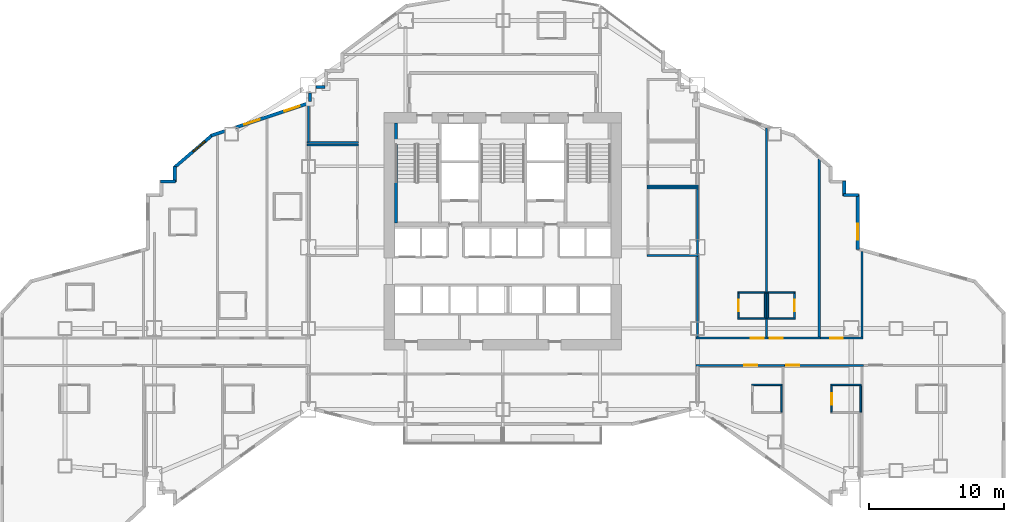
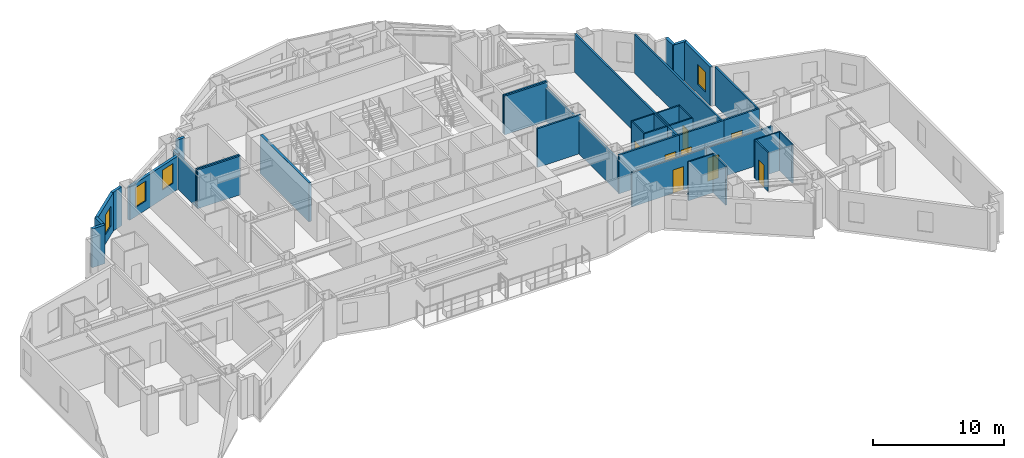
# One storey, part 10 of 16: 40 walls, 8 doors, 4 windows, 12 openings.
"""IFC4 building model written with IfcOpenShell, lengths in metres."""

import ifcopenshell
import ifcopenshell.guid

model = None  # the IFC model being written
_history = None  # IfcOwnerHistory: only IFC2X3 demands one
_inside = {}  # id of a spatial element -> (the spatial element, [elements in it])
_under = {}  # id of a project, library or spatial element -> (it, [spatial elements below it])
_declared = {}  # id of a project -> (the project, [libraries it declares])
_typed = {}  # id of a type object -> (the type object, [elements of that type])
_made_of = {}  # id of a material, layer set ... -> (it, [elements and type objects made of it])


def new_model(schema):
    """Start an empty IFC model of exactly this schema.

    Asked for "IFC4X3", IfcOpenShell would pick the latest addendum, in which some entities
    have other attributes; the version numbers below select the first issue.
    IFC2X3 requires an IfcOwnerHistory on every rooted entity: one is made here for all.
    """
    global model, _history
    if schema == "IFC4X3":
        model = ifcopenshell.file(schema_version=(4, 3, 0, 0))
    else:
        model = ifcopenshell.file(schema=schema)
    _inside.clear()
    _under.clear()
    _declared.clear()
    _typed.clear()
    _made_of.clear()
    _history = None
    if model.schema == "IFC2X3":
        org = make("IfcOrganization", Name="unknown")
        user = make(
            "IfcPersonAndOrganization",
            ThePerson=make("IfcPerson", FamilyName="unknown"),
            TheOrganization=org,
        )
        app = make(
            "IfcApplication",
            ApplicationDeveloper=org,
            Version="unknown",
            ApplicationFullName="unknown",
            ApplicationIdentifier="unknown",
        )
        _history = make(
            "IfcOwnerHistory",
            OwningUser=user,
            OwningApplication=app,
            ChangeAction="ADDED",
            CreationDate=0,
        )
    return model


def make(cls, **values):
    """One entity of the class cls with the attributes given. An attribute that is None is left unset."""
    return model.create_entity(
        cls, **{name: value for name, value in values.items() if value is not None}
    )


def rooted(cls, **values):
    """An entity with a GlobalId (a new one), such as an element, a storey or a relation."""
    return make(cls, GlobalId=ifcopenshell.guid.new(), OwnerHistory=_history, **values)


def si_unit(unit_type, name, prefix=None):
    """IfcSIUnit, for example si_unit("LENGTHUNIT", "METRE", prefix="MILLI")."""
    return make("IfcSIUnit", UnitType=unit_type, Prefix=prefix, Name=name)


def assignment(units):
    """IfcUnitAssignment: the units of a project."""
    return None if units is None else make("IfcUnitAssignment", Units=units)


def point(xyz):
    """IfcCartesianPoint."""
    return None if xyz is None else make("IfcCartesianPoint", Coordinates=xyz)


def direction(xyz):
    """IfcDirection."""
    return None if xyz is None else make("IfcDirection", DirectionRatios=xyz)


def frame(location, z_axis=None, x_axis=None):
    """IfcAxis2Placement3D, a coordinate frame: its origin and axes. An axis left out is left unset."""
    return make(
        "IfcAxis2Placement3D",
        Location=point(location),
        Axis=direction(z_axis),
        RefDirection=direction(x_axis),
    )


def frame_2d(location, x_axis=None):
    """IfcAxis2Placement2D, a coordinate frame in the plane: its origin and x axis."""
    return make(
        "IfcAxis2Placement2D", Location=point(location), RefDirection=direction(x_axis)
    )


def origin():
    """The frame at (0, 0, 0) with its axes left unset."""
    return frame((0.0, 0.0, 0.0))


def place(relative_to, where):
    """IfcLocalPlacement: puts the frame where relative to a parent placement (None: the world)."""
    return make(
        "IfcLocalPlacement", PlacementRelTo=relative_to, RelativePlacement=where
    )


def context(
    kind, dimensions, precision=None, world=None, true_north=None, identifier=None
):
    """IfcGeometricRepresentationContext, for example the 3D "Model" context."""
    return make(
        "IfcGeometricRepresentationContext",
        ContextIdentifier=identifier,
        ContextType=kind,
        CoordinateSpaceDimension=dimensions,
        Precision=precision,
        WorldCoordinateSystem=world,
        TrueNorth=true_north,
    )


def subcontext(parent, identifier, kind, view, scale=None):
    """IfcGeometricRepresentationSubContext, for example "Body" below "Model"."""
    return make(
        "IfcGeometricRepresentationSubContext",
        ContextIdentifier=identifier,
        ContextType=kind,
        ParentContext=parent,
        TargetScale=scale,
        TargetView=view,
    )


def project(units=None, contexts=None):
    """IfcProject with its units and contexts."""
    return rooted(
        "IfcProject",
        Name="project",
        RepresentationContexts=contexts,
        UnitsInContext=assignment(units),
    )


def spatial(cls, under=None, at=None, **own):
    """A site, building, storey or space (cls), placed at a placement, below another one or the project."""
    s = rooted(cls, ObjectPlacement=at, **own)
    if under is not None:
        _under.setdefault(under.id(), (under, []))[1].append(s)
    return s


def profile(cls, at=None, kind="AREA", **sizes):
    """A parametric profile (cls). Its sizes go by their IFC names, for example OverallWidth=200.0."""
    return make(cls, ProfileType=kind, Position=at, **sizes)


def rectangle(**sizes):
    """IfcRectangleProfileDef."""
    return profile("IfcRectangleProfileDef", **sizes)


def extrude(swept, where, along, depth):
    """IfcExtrudedAreaSolid: the profile swept, set in the frame where, extruded along a direction by depth."""
    return make(
        "IfcExtrudedAreaSolid",
        SweptArea=swept,
        Position=where,
        ExtrudedDirection=direction(along),
        Depth=depth,
    )


def shape(context_of_items, identifier, shape_type, items):
    """IfcShapeRepresentation: the items that make up one representation, for example the "Body"."""
    return make(
        "IfcShapeRepresentation",
        ContextOfItems=context_of_items,
        RepresentationIdentifier=identifier,
        RepresentationType=shape_type,
        Items=items,
    )


def material(Name=None, Category=None):
    """IfcMaterial."""
    return make("IfcMaterial", Name=Name, Category=Category)


def layer(
    of_material, thickness, ventilated=None, Name=None, Category=None, Priority=None
):
    """IfcMaterialLayer: one layer of a wall or slab, of a material (None: an air gap)."""
    return make(
        "IfcMaterialLayer",
        Material=of_material,
        LayerThickness=thickness,
        IsVentilated=ventilated,
        Name=Name,
        Category=Category,
        Priority=Priority,
    )


def layer_set(layers, Name=None):
    """IfcMaterialLayerSet."""
    return make("IfcMaterialLayerSet", MaterialLayers=layers, LayerSetName=Name)


def made_of(thing, what):
    """Note that an element or type object is made of a material, layer set ...; save() writes the relation."""
    if what is not None:
        _made_of.setdefault(what.id(), (what, []))[1].append(thing)
    return thing


def type_object(cls, material=None, **own):
    """A type object (cls), such as IfcWallType, which elements share."""
    return made_of(rooted(cls, **own), material)


def element(
    cls,
    number,
    at=None,
    inside=None,
    cuts=None,
    type_object=None,
    material=None,
    context=None,
    identifier="Body",
    shape_type=None,
    held_by="IfcProductDefinitionShape",
    body=None,
    shapes=None,
    **own,
):
    """One element of the class cls, such as IfcWall. Its Tag is "e" and its number.

    at: its placement. inside: the storey or other place that contains it. cuts: it is an
    opening in that element (IfcRelVoidsElement). A single representation is given by context,
    identifier, shape_type and body (its items); several are given by shapes. held_by: the class
    of the entity that holds the representations. save() writes the other relations.
    """
    e = rooted(cls, Tag="e%d" % number, ObjectPlacement=at, **own)
    if body is not None:
        shapes = [shape(context, identifier, shape_type, body)]
    if shapes is not None:
        e.Representation = make(held_by, Representations=shapes)
    if inside is not None:
        _inside.setdefault(inside.id(), (inside, []))[1].append(e)
    if cuts is not None:
        rooted(
            "IfcRelVoidsElement", RelatingBuildingElement=cuts, RelatedOpeningElement=e
        )
    if type_object is not None:
        _typed.setdefault(type_object.id(), (type_object, []))[1].append(e)
    return made_of(e, material)


def fill(opening, filler):
    """IfcRelFillsElement: the door or window that sits in an opening."""
    return rooted(
        "IfcRelFillsElement",
        RelatingOpeningElement=opening,
        RelatedBuildingElement=filler,
    )


def aggregate(whole, parts):
    """IfcRelAggregates: a whole, such as a stair, and the parts it consists of."""
    return rooted("IfcRelAggregates", RelatingObject=whole, RelatedObjects=parts)


def save(model, path):
    """Write the relations noted so far, then the file.

    IfcRelAggregates (storeys below a building ...), IfcRelContainedInSpatialStructure (elements
    in a storey), IfcRelDefinesByType, IfcRelAssociatesMaterial and IfcRelDeclares: one each for
    every whole, place, type object, material and project.
    """
    for whole, parts in _under.values():
        aggregate(whole, parts)
    for where, things in _inside.values():
        rooted(
            "IfcRelContainedInSpatialStructure",
            RelatedElements=things,
            RelatingStructure=where,
        )
    for kind, things in _typed.values():
        rooted("IfcRelDefinesByType", RelatedObjects=things, RelatingType=kind)
    for what, things in _made_of.values():
        rooted("IfcRelAssociatesMaterial", RelatedObjects=things, RelatingMaterial=what)
    for by, libraries in _declared.values():
        rooted("IfcRelDeclares", RelatingContext=by, RelatedDefinitions=libraries)
    model.write(path)


model = new_model("IFC4")

# Units and contexts
model_context = context("Model", 3, precision=1e-05, world=origin(), true_north=direction((0.0, 1.0)))
body_context = subcontext(model_context, "Body", "Model", "MODEL_VIEW")
ifc_project = project(units=[si_unit("LENGTHUNIT", "METRE"), si_unit("AREAUNIT", "SQUARE_METRE"), si_unit("VOLUMEUNIT", "CUBIC_METRE"), si_unit("PLANEANGLEUNIT", "RADIAN"), si_unit("MASSUNIT", "GRAM", prefix="KILO")], contexts=[model_context])

# Site, building, storey
site_placement = place(None, origin())
site = spatial("IfcSite", under=ifc_project, at=site_placement, CompositionType="ELEMENT")
building_placement = place(site_placement, origin())
building = spatial("IfcBuilding", under=site, at=building_placement, Name="Haolan Belvedere Tower", CompositionType="ELEMENT")
storey_placement = place(building_placement, frame((0.0, 0.0, 74.199951171875)))
storey = spatial("IfcBuildingStorey", under=building, at=storey_placement, Name="L18", CompositionType="ELEMENT", Elevation=74.199951171875)

# Wall, opening, window
ifc_material_1 = material(Name="Precast concrete C40/50", Category="concrete")
ifc_layer_1 = layer(ifc_material_1, 0.239990234375, Name="Precast concrete C40/50")
ifc_layer_set_1 = layer_set([ifc_layer_1], Name="Precast concrete C40/50")
wall_type_1 = type_object("IfcWallType", Name="WL-EXT-240", PredefinedType="SOLIDWALL", material=ifc_layer_set_1)
wall_1_placement = place(storey_placement, frame((64.679931640625, 33.453857421875, 0.0), z_axis=(0.0, 0.0, 1.0), x_axis=(0.0, 1.0, 0.0)))
wall_1 = element("IfcWall", 1, at=wall_1_placement, inside=storey, type_object=wall_type_1, Name="L18 pale-metal exterior spandrel wall 29.1", PredefinedType="SOLIDWALL", context=body_context, shape_type="SweptSolid", body=[
    extrude(rectangle(XDim=4.0810546875, YDim=0.239990234375, at=frame_2d((2.04052734375, 0.0))), origin(), (0.0, 0.0, 1.0), 3.60009765625),
])
opening_1_placement = place(wall_1_placement, frame((0.699951171875, 0.0, 0.85009765625)))
opening_1 = element("IfcOpeningElement", 2, at=opening_1_placement, cuts=wall_1, Name="Opening W-01", PredefinedType="OPENING", context=body_context, shape_type="SweptSolid", body=[
    extrude(rectangle(XDim=1.199951171875, YDim=1.85009765625, at=frame_2d((0.60009765625, 0.925048828125))), frame((0.0, 0.1298828125, 0.0), z_axis=(0.0, -1.0, 0.0), x_axis=(1.0, 0.0, 0.0)), (0.0, 0.0, 1.0), 0.260009765625),
])
ifc_material_2 = material(Name="Anodised aluminium 6063-T6 and Low-E glass", Category="aluminium")
window_type = type_object("IfcWindowType", Name="WN-DECO-Z1", PartitioningType="SINGLE_PANEL", PredefinedType="WINDOW", material=ifc_material_2)
window_1_placement = place(opening_1_placement, origin())
window_1 = element("IfcWindow", 3, at=window_1_placement, inside=storey, type_object=window_type, Name="L18 Art Deco chevron window 1", OverallHeight=1.85009765625, OverallWidth=1.199951171875, PartitioningType="SINGLE_PANEL", PredefinedType="WINDOW", context=body_context, shape_type="SweptSolid", body=[
    extrude(rectangle(XDim=1.199951171875, YDim=1.85009765625, at=frame_2d((0.60009765625, 0.925048828125))), frame((0.0, 0.030029296875, 0.0), z_axis=(0.0, -1.0, 0.0), x_axis=(1.0, 0.0, 0.0)), (0.0, 0.0, 1.0), 0.06005859375),
])
fill(opening_1, window_1)

# Walls
wall_2_placement = place(storey_placement, frame((64.735107421875, 37.47998046875, 0.0), z_axis=(0.0, 0.0, 1.0), x_axis=(-1.0, 0.0, 0.0)))
element("IfcWall", 4, at=wall_2_placement, inside=storey, type_object=wall_type_1, Name="L18 pale-metal exterior spandrel wall 30.1", PredefinedType="SOLIDWALL", context=body_context, shape_type="SweptSolid", body=[
    extrude(rectangle(XDim=1.110107421875, YDim=0.239990234375, at=frame_2d((0.55517578125, 0.0))), origin(), (0.0, 0.0, 1.0), 3.60009765625),
])
wall_3_placement = place(storey_placement, frame((63.679931640625, 37.425048828125, 0.0), z_axis=(0.0, 0.0, 1.0), x_axis=(0.0, 1.0, 0.0)))
element("IfcWall", 5, at=wall_3_placement, inside=storey, type_object=wall_type_1, Name="L18 pale-metal exterior spandrel wall 31.1", PredefinedType="SOLIDWALL", context=body_context, shape_type="SweptSolid", body=[
    extrude(rectangle(XDim=1.10986328125, YDim=0.239990234375, at=frame_2d((0.554931640625, 0.0))), origin(), (0.0, 0.0, 1.0), 3.60009765625),
])
wall_4_placement = place(storey_placement, frame((25.235107421875, 45.47998046875, 0.0), z_axis=(0.0, 0.0, 1.0), x_axis=(-1.0, 0.0, 0.0)))
element("IfcWall", 6, at=wall_4_placement, inside=storey, type_object=wall_type_1, Name="L18 pale-metal exterior spandrel wall 48.1", PredefinedType="SOLIDWALL", context=body_context, shape_type="SweptSolid", body=[
    extrude(rectangle(XDim=0.668212890625, YDim=0.239990234375, at=frame_2d((0.333984375, 0.0))), origin(), (0.0, 0.0, 1.0), 3.60009765625),
])
wall_5_placement = place(storey_placement, frame((24.1201171875, 45.032958984375, 0.0), z_axis=(0.0, 0.0, 1.0), x_axis=(0.0, -1.0, 0.0)))
element("IfcWall", 7, at=wall_5_placement, inside=storey, type_object=wall_type_1, Name="L18 pale-metal exterior spandrel wall 49.1", PredefinedType="SOLIDWALL", context=body_context, shape_type="SweptSolid", body=[
    extrude(rectangle(XDim=0.634521484375, YDim=0.239990234375, at=frame_2d((0.3173828125, 0.0))), origin(), (0.0, 0.0, 1.0), 3.09716796875),
])

# Wall, openings, windows
wall_6_placement = place(storey_placement, frame((24.039306640625, 44.28662109375, 0.0), z_axis=(0.0, 0.0, 1.0), x_axis=(-0.948678995954, -0.316240672014, 0.0)))
wall_6 = element("IfcWall", 8, at=wall_6_placement, inside=storey, type_object=wall_type_1, Name="L18 pale-metal exterior spandrel wall 50.1", PredefinedType="SOLIDWALL", context=body_context, shape_type="SweptSolid", body=[
    extrude(rectangle(XDim=5.675048828125, YDim=0.239990234375, at=frame_2d((2.83740234375, 0.0))), origin(), (0.0, 0.0, 1.0), 3.09716796875),
])
opening_2_placement = place(wall_6_placement, frame((0.699951171875, 0.0, 0.85009765625)))
opening_2 = element("IfcOpeningElement", 9, at=opening_2_placement, cuts=wall_6, Name="Opening W-01", PredefinedType="OPENING", context=body_context, shape_type="SweptSolid", body=[
    extrude(rectangle(XDim=1.199951171875, YDim=1.85009765625, at=frame_2d((0.60009765625, 0.925048828125))), frame((0.0, 0.1298828125, 0.0), z_axis=(0.0, -1.0, 0.0), x_axis=(1.0, 0.0, 0.0)), (0.0, 0.0, 1.0), 0.260009765625),
])
opening_3_placement = place(wall_6_placement, frame((3.833984375, 0.0, 0.85009765625)))
opening_3 = element("IfcOpeningElement", 10, at=opening_3_placement, cuts=wall_6, Name="Opening W-01", PredefinedType="OPENING", context=body_context, shape_type="SweptSolid", body=[
    extrude(rectangle(XDim=1.199951171875, YDim=1.85009765625, at=frame_2d((0.60009765625, 0.925048828125))), frame((0.0, 0.1298828125, 0.0), z_axis=(0.0, -1.0, 0.0), x_axis=(1.0, 0.0, 0.0)), (0.0, 0.0, 1.0), 0.260009765625),
])
window_2_placement = place(opening_2_placement, origin())
window_2 = element("IfcWindow", 11, at=window_2_placement, inside=storey, type_object=window_type, Name="L18 Art Deco chevron window 1", OverallHeight=1.85009765625, OverallWidth=1.199951171875, PartitioningType="SINGLE_PANEL", PredefinedType="WINDOW", context=body_context, shape_type="SweptSolid", body=[
    extrude(rectangle(XDim=1.199951171875, YDim=1.85009765625, at=frame_2d((0.60009765625, 0.925048828125))), frame((0.0, 0.030029296875, 0.0), z_axis=(0.0, -1.0, 0.0), x_axis=(1.0, 0.0, 0.0)), (0.0, 0.0, 1.0), 0.06005859375),
])
fill(opening_2, window_2)
window_3_placement = place(opening_3_placement, origin())
window_3 = element("IfcWindow", 12, at=window_3_placement, inside=storey, type_object=window_type, Name="L18 Art Deco guestroom window 1", OverallHeight=1.85009765625, OverallWidth=1.199951171875, PartitioningType="SINGLE_PANEL", PredefinedType="WINDOW", context=body_context, shape_type="SweptSolid", body=[
    extrude(rectangle(XDim=1.199951171875, YDim=1.85009765625, at=frame_2d((0.60009765625, 0.925048828125))), frame((0.0, 0.030029296875, 0.0), z_axis=(0.0, -1.0, 0.0), x_axis=(1.0, 0.0, 0.0)), (0.0, 0.0, 1.0), 0.06005859375),
])
fill(opening_3, window_3)

# Wall
wall_7_placement = place(storey_placement, frame((17.80810546875, 42.20947265625, 0.0), z_axis=(0.0, 0.0, 1.0), x_axis=(-0.948706457285, -0.316158279832, 0.0)))
element("IfcWall", 13, at=wall_7_placement, inside=storey, type_object=wall_type_1, Name="L18 pale-metal exterior spandrel wall 50.2", PredefinedType="SOLIDWALL", context=body_context, shape_type="SweptSolid", body=[
    extrude(rectangle(XDim=1.053955078125, YDim=0.239990234375, at=frame_2d((0.52685546875, 0.0))), origin(), (0.0, 0.0, 1.0), 3.60009765625),
])

# Wall, opening, window
wall_8_placement = place(storey_placement, frame((16.902099609375, 41.929443359375, 0.0), z_axis=(0.0, 0.0, 1.0), x_axis=(-0.759275136126, -0.650769750112, 0.0)))
wall_8 = element("IfcWall", 14, at=wall_8_placement, inside=storey, type_object=wall_type_1, Name="L18 pale-metal exterior spandrel wall 51.1", PredefinedType="SOLIDWALL", context=body_context, shape_type="SweptSolid", body=[
    extrude(rectangle(XDim=3.71923828125, YDim=0.239990234375, at=frame_2d((1.859619140625, 0.0))), origin(), (0.0, 0.0, 1.0), 3.60009765625),
])
opening_4_placement = place(wall_8_placement, frame((0.699951171875, 0.0, 0.85009765625)))
opening_4 = element("IfcOpeningElement", 15, at=opening_4_placement, cuts=wall_8, Name="Opening W-01", PredefinedType="OPENING", context=body_context, shape_type="SweptSolid", body=[
    extrude(rectangle(XDim=1.199951171875, YDim=1.85009765625, at=frame_2d((0.60009765625, 0.925048828125))), frame((0.0, 0.1298828125, 0.0), z_axis=(0.0, -1.0, 0.0), x_axis=(1.0, 0.0, 0.0)), (0.0, 0.0, 1.0), 0.260009765625),
])
window_4_placement = place(opening_4_placement, origin())
window_4 = element("IfcWindow", 16, at=window_4_placement, inside=storey, type_object=window_type, Name="L18 Art Deco chevron window 1", OverallHeight=1.85009765625, OverallWidth=1.199951171875, PartitioningType="SINGLE_PANEL", PredefinedType="WINDOW", context=body_context, shape_type="SweptSolid", body=[
    extrude(rectangle(XDim=1.199951171875, YDim=1.85009765625, at=frame_2d((0.60009765625, 0.925048828125))), frame((0.0, 0.030029296875, 0.0), z_axis=(0.0, -1.0, 0.0), x_axis=(1.0, 0.0, 0.0)), (0.0, 0.0, 1.0), 0.06005859375),
])
fill(opening_4, window_4)

# Walls
wall_9_placement = place(storey_placement, frame((14.1201171875, 39.599853515625, 0.0), z_axis=(0.0, 0.0, 1.0), x_axis=(0.0, -1.0, 0.0)))
element("IfcWall", 17, at=wall_9_placement, inside=storey, type_object=wall_type_1, Name="L18 pale-metal exterior spandrel wall 52.1", PredefinedType="SOLIDWALL", context=body_context, shape_type="SweptSolid", body=[
    extrude(rectangle(XDim=1.1748046875, YDim=0.239990234375, at=frame_2d((0.58740234375, 0.0))), origin(), (0.0, 0.0, 1.0), 3.60009765625),
])
wall_10_placement = place(storey_placement, frame((14.175048828125, 38.47998046875, 0.0), z_axis=(0.0, 0.0, 1.0), x_axis=(-1.0, 0.0, 0.0)))
element("IfcWall", 18, at=wall_10_placement, inside=storey, type_object=wall_type_1, Name="L18 pale-metal exterior spandrel wall 53.1", PredefinedType="SOLIDWALL", context=body_context, shape_type="SweptSolid", body=[
    extrude(rectangle(XDim=1.110107421875, YDim=0.239990234375, at=frame_2d((0.55517578125, 0.0))), origin(), (0.0, 0.0, 1.0), 3.60009765625),
])
ifc_material_3 = material(Name="Double gypsum acoustic stud partition", Category="masonry")
ifc_layer_2 = layer(ifc_material_3, 0.14990234375, Name="Double gypsum acoustic stud partition")
ifc_layer_set_2 = layer_set([ifc_layer_2], Name="Double gypsum acoustic stud partition")
wall_type_2 = type_object("IfcWallType", Name="WL-PART-150", PredefinedType="PARTITIONING", material=ifc_layer_set_2)
for number, where, z_axis, x_axis, name in (
    (19, (23.919921875, 41.199951171875, 0.0), (0.0, 0.0, 1.0), (1.0, 0.0, 0.0), "L18 interior partition IW-L18-SAL-N"),
    (20, (23.919921875, 41.360107421875, 0.0), (0.0, 0.0, 1.0), (1.0, 0.0, 0.0), "L18 interior partition IW-L18-HSK-S"),
):
    element("IfcWall", number, at=place(storey_placement, frame(where, z_axis=z_axis, x_axis=x_axis)), inside=storey, type_object=wall_type_2, Name=name, PredefinedType="PARTITIONING", context=body_context, shape_type="SweptSolid", body=[
        extrude(rectangle(XDim=3.800048828125, YDim=0.14990234375, at=frame_2d((1.89990234375, 0.0))), origin(), (0.0, 0.0, 1.0), 3.60009765625),
    ])
wall_11_placement = place(storey_placement, frame((24.0, 41.419921875, 0.0), z_axis=(0.0, 0.0, 1.0), x_axis=(0.0, 1.0, 0.0)))
element("IfcWall", 21, at=wall_11_placement, inside=storey, type_object=wall_type_2, Name="L18 interior partition IW-L18-HSK-W", PredefinedType="PARTITIONING", context=body_context, shape_type="SweptSolid", body=[
    extrude(rectangle(XDim=2.742919921875, YDim=0.14990234375, at=frame_2d((1.37158203125, 0.0))), origin(), (0.0, 0.0, 1.0), 3.09716796875),
])
for number, where, z_axis, x_axis, name in (
    (22, (49.080078125, 38.0, 0.0), (0.0, 0.0, 1.0), (1.0, 0.0, 0.0), "L18 interior partition IW-L18-BPN-N"),
    (23, (49.080078125, 33.0, 0.0), (0.0, 0.0, 1.0), (1.0, 0.0, 0.0), "L18 interior partition IW-L18-BPN-S"),
):
    element("IfcWall", number, at=place(storey_placement, frame(where, z_axis=z_axis, x_axis=x_axis)), inside=storey, type_object=wall_type_2, Name=name, PredefinedType="PARTITIONING", context=body_context, shape_type="SweptSolid", body=[
        extrude(rectangle(XDim=3.7998046875, YDim=0.14990234375, at=frame_2d((1.89990234375, 0.0))), origin(), (0.0, 0.0, 1.0), 3.60009765625),
    ])
wall_12_placement = place(storey_placement, frame((52.800048828125, 33.06005859375, 0.0), z_axis=(0.0, 0.0, 1.0), x_axis=(0.0, 1.0, 0.0)))
element("IfcWall", 24, at=wall_12_placement, inside=storey, type_object=wall_type_2, Name="L18 interior partition IW-L18-BPN-E", PredefinedType="PARTITIONING", context=body_context, shape_type="SweptSolid", body=[
    extrude(rectangle(XDim=4.8798828125, YDim=0.14990234375, at=frame_2d((2.43994140625, 0.0))), origin(), (0.0, 0.0, 1.0), 3.09716796875),
])
wall_13_placement = place(storey_placement, frame((49.080078125, 38.159912109375, 0.0), z_axis=(0.0, 0.0, 1.0), x_axis=(1.0, 0.0, 0.0)))
element("IfcWall", 25, at=wall_13_placement, inside=storey, type_object=wall_type_2, Name="L18 interior partition IW-L18-AWC-S", PredefinedType="PARTITIONING", context=body_context, shape_type="SweptSolid", body=[
    extrude(rectangle(XDim=3.7998046875, YDim=0.14990234375, at=frame_2d((1.89990234375, 0.0))), origin(), (0.0, 0.0, 1.0), 3.60009765625),
])

# Wall, opening, door
wall_14_placement = place(storey_placement, frame((52.699951171875, 26.8798828125, 0.0), z_axis=(0.0, 0.0, 1.0), x_axis=(1.0, 0.0, 0.0)))
wall_14 = element("IfcWall", 26, at=wall_14_placement, inside=storey, type_object=wall_type_2, Name="L18 interior partition IW-L18-T4N1-S", PredefinedType="PARTITIONING", context=body_context, shape_type="SweptSolid", body=[
    extrude(rectangle(XDim=5.320068359375, YDim=0.14990234375, at=frame_2d((2.66015625, 0.0))), origin(), (0.0, 0.0, 1.0), 3.60009765625),
])
opening_5_placement = place(wall_14_placement, frame((4.0654296875, 0.0, 0.0)))
opening_5 = element("IfcOpeningElement", 27, at=opening_5_placement, cuts=wall_14, Name="Opening ID-01", PredefinedType="OPENING", context=body_context, shape_type="SweptSolid", body=[
    extrude(rectangle(XDim=0.949951171875, YDim=2.179931640625, at=frame_2d((0.47509765625, 1.08984375))), frame((0.0, 0.0849609375, 0.0), z_axis=(0.0, -1.0, 0.0), x_axis=(1.0, 0.0, 0.0)), (0.0, 0.0, 1.0), 0.169921875),
])
ifc_material_4 = material(Name="Acoustic walnut veneer fire-rated timber", Category="wood")
door_type_1 = type_object("IfcDoorType", Name="DR-SUITE-950", OperationType="NOTDEFINED", PredefinedType="DOOR", material=ifc_material_4)
door_1_placement = place(opening_5_placement, origin())
door_1 = element("IfcDoor", 28, at=door_1_placement, inside=storey, type_object=door_type_1, Name="L18 door ID-L18-T4N1-ENT", OperationType="SINGLE_SWING_LEFT", OverallHeight=2.179931640625, OverallWidth=0.949951171875, PredefinedType="DOOR", context=body_context, shape_type="SweptSolid", body=[
    extrude(rectangle(XDim=0.949951171875, YDim=2.179931640625, at=frame_2d((0.47509765625, 1.08984375))), frame((0.0, 0.02490234375, 0.0), z_axis=(0.0, -1.0, 0.0), x_axis=(1.0, 0.0, 0.0)), (0.0, 0.0, 1.0), 0.050048828125),
])
fill(opening_5, door_1)

# Walls
wall_15_placement = place(storey_placement, frame((52.800048828125, 26.93994140625, 0.0), z_axis=(0.0, 0.0, 1.0), x_axis=(0.0, 1.0, 0.0)))
element("IfcWall", 29, at=wall_15_placement, inside=storey, type_object=wall_type_2, Name="L18 interior partition IW-L18-T4N1-W", PredefinedType="PARTITIONING", context=body_context, shape_type="SweptSolid", body=[
    extrude(rectangle(XDim=6.0, YDim=0.14990234375, at=frame_2d((3.0, 0.0))), origin(), (0.0, 0.0, 1.0), 3.09716796875),
])
wall_16_placement = place(storey_placement, frame((57.919921875, 26.93994140625, 0.0), z_axis=(0.0, 0.0, 1.0), x_axis=(0.0, 1.0, 0.0)))
element("IfcWall", 30, at=wall_16_placement, inside=storey, type_object=wall_type_2, Name="L18 interior partition IW-L18-T4N1-E", PredefinedType="PARTITIONING", context=body_context, shape_type="SweptSolid", body=[
    extrude(rectangle(XDim=15.516357421875, YDim=0.14990234375, at=frame_2d((7.75830078125, 0.0))), origin(), (0.0, 0.0, 1.0), 3.60009765625),
])

# Wall, opening, door
wall_17_placement = place(storey_placement, frame((58.02197265625, 26.8798828125, 0.0), z_axis=(0.0, 0.0, 1.0), x_axis=(1.0, 0.0, 0.0)))
wall_17 = element("IfcWall", 31, at=wall_17_placement, inside=storey, type_object=wall_type_2, Name="L18 interior partition IW-L18-T4N2-S", PredefinedType="PARTITIONING", context=body_context, shape_type="SweptSolid", body=[
    extrude(rectangle(XDim=3.907958984375, YDim=0.14990234375, at=frame_2d((1.9541015625, 0.0))), origin(), (0.0, 0.0, 1.0), 3.60009765625),
])
opening_6_placement = place(wall_17_placement, frame((0.139892578125, 0.0, 0.0)))
opening_6 = element("IfcOpeningElement", 32, at=opening_6_placement, cuts=wall_17, Name="Opening ID-02", PredefinedType="OPENING", context=body_context, shape_type="SweptSolid", body=[
    extrude(rectangle(XDim=0.949951171875, YDim=2.14990234375, at=frame_2d((0.47509765625, 1.074951171875))), frame((0.0, 0.0849609375, 0.0), z_axis=(0.0, -1.0, 0.0), x_axis=(1.0, 0.0, 0.0)), (0.0, 0.0, 1.0), 0.169921875),
])
ifc_material_5 = material(Name="Acoustic oak veneer fire-rated timber", Category="wood")
door_type_2 = type_object("IfcDoorType", Name="DR-GUEST-950", OperationType="NOTDEFINED", PredefinedType="DOOR", material=ifc_material_5)
door_2_placement = place(opening_6_placement, origin())
door_2 = element("IfcDoor", 33, at=door_2_placement, inside=storey, type_object=door_type_2, Name="L18 door ID-L18-T4N2-ENT", OperationType="SINGLE_SWING_RIGHT", OverallHeight=2.14990234375, OverallWidth=0.949951171875, PredefinedType="DOOR", context=body_context, shape_type="SweptSolid", body=[
    extrude(rectangle(XDim=0.949951171875, YDim=2.14990234375, at=frame_2d((0.47509765625, 1.074951171875))), frame((0.0, 0.02490234375, 0.0), z_axis=(0.0, -1.0, 0.0), x_axis=(1.0, 0.0, 0.0)), (0.0, 0.0, 1.0), 0.050048828125),
])
fill(opening_6, door_2)

# Wall
wall_18_placement = place(storey_placement, frame((61.830078125, 26.93994140625, 0.0), z_axis=(0.0, 0.0, 1.0), x_axis=(0.0, 1.0, 0.0)))
element("IfcWall", 34, at=wall_18_placement, inside=storey, type_object=wall_type_2, Name="L18 interior partition IW-L18-T4N2-E", PredefinedType="PARTITIONING", context=body_context, shape_type="SweptSolid", body=[
    extrude(rectangle(XDim=13.195068359375, YDim=0.14990234375, at=frame_2d((6.59765625, 0.0))), origin(), (0.0, 0.0, 1.0), 3.60009765625),
])

# Wall, opening, door
wall_19_placement = place(storey_placement, frame((61.931884765625, 26.8798828125, 0.0), z_axis=(0.0, 0.0, 1.0), x_axis=(1.0, 0.0, 0.0)))
wall_19 = element("IfcWall", 35, at=wall_19_placement, inside=storey, type_object=wall_type_2, Name="L18 interior partition IW-L18-T4N3-S", PredefinedType="PARTITIONING", context=body_context, shape_type="SweptSolid", body=[
    extrude(rectangle(XDim=3.148193359375, YDim=0.14990234375, at=frame_2d((1.57421875, 0.0))), origin(), (0.0, 0.0, 1.0), 3.60009765625),
])
opening_7_placement = place(wall_19_placement, frame((0.696533203125, 0.0, 0.0)))
opening_7 = element("IfcOpeningElement", 36, at=opening_7_placement, cuts=wall_19, Name="Opening ID-03", PredefinedType="OPENING", context=body_context, shape_type="SweptSolid", body=[
    extrude(rectangle(XDim=0.949951171875, YDim=2.1201171875, at=frame_2d((0.47509765625, 1.06005859375))), frame((0.0, 0.0849609375, 0.0), z_axis=(0.0, -1.0, 0.0), x_axis=(1.0, 0.0, 0.0)), (0.0, 0.0, 1.0), 0.169921875),
])
ifc_material_6 = material(Name="Painted solid-core timber", Category="wood")
door_type_3 = type_object("IfcDoorType", Name="DR-INT-950", OperationType="NOTDEFINED", PredefinedType="DOOR", material=ifc_material_6)
door_3_placement = place(opening_7_placement, origin())
door_3 = element("IfcDoor", 37, at=door_3_placement, inside=storey, type_object=door_type_3, Name="L18 door ID-L18-T4N3", OperationType="SINGLE_SWING_LEFT", OverallHeight=2.1201171875, OverallWidth=0.949951171875, PredefinedType="DOOR", context=body_context, shape_type="SweptSolid", body=[
    extrude(rectangle(XDim=0.949951171875, YDim=2.1201171875, at=frame_2d((0.47509765625, 1.06005859375))), frame((0.0, 0.02490234375, 0.0), z_axis=(0.0, -1.0, 0.0), x_axis=(1.0, 0.0, 0.0)), (0.0, 0.0, 1.0), 0.050048828125),
])
fill(opening_7, door_3)

# Wall
wall_20_placement = place(storey_placement, frame((65.0, 26.93994140625, 0.0), z_axis=(0.0, 0.0, 1.0), x_axis=(0.0, 1.0, 0.0)))
element("IfcWall", 38, at=wall_20_placement, inside=storey, type_object=wall_type_2, Name="L18 interior partition IW-L18-T4N3-E", PredefinedType="PARTITIONING", context=body_context, shape_type="SweptSolid", body=[
    extrude(rectangle(XDim=6.37060546875, YDim=0.14990234375, at=frame_2d((3.185302734375, 0.0))), origin(), (0.0, 0.0, 1.0), 3.60009765625),
])

# Wall, opening, door
wall_21_placement = place(storey_placement, frame((52.699951171875, 24.8701171875, 0.0), z_axis=(0.0, 0.0, 1.0), x_axis=(1.0, 0.0, 0.0)))
wall_21 = element("IfcWall", 39, at=wall_21_placement, inside=storey, type_object=wall_type_2, Name="L18 interior partition IW-L18-T4S1-N", PredefinedType="PARTITIONING", context=body_context, shape_type="SweptSolid", body=[
    extrude(rectangle(XDim=6.5400390625, YDim=0.14990234375, at=frame_2d((3.27001953125, 0.0))), origin(), (0.0, 0.0, 1.0), 3.18505859375),
])
opening_8_placement = place(wall_21_placement, frame((4.540771484375, 0.0, 0.0), z_axis=(0.0, 0.0, 1.0), x_axis=(-1.0, 0.0, 0.0)))
opening_8 = element("IfcOpeningElement", 40, at=opening_8_placement, cuts=wall_21, Name="Opening ID-01", PredefinedType="OPENING", context=body_context, shape_type="SweptSolid", body=[
    extrude(rectangle(XDim=0.949951171875, YDim=2.179931640625, at=frame_2d((0.47509765625, 1.08984375))), frame((0.0, 0.0849609375, 0.0), z_axis=(0.0, -1.0, 0.0), x_axis=(1.0, 0.0, 0.0)), (0.0, 0.0, 1.0), 0.169921875),
])
door_4_placement = place(opening_8_placement, origin())
door_4 = element("IfcDoor", 41, at=door_4_placement, inside=storey, type_object=door_type_1, Name="L18 door ID-L18-T4S1-ENT", OperationType="SINGLE_SWING_RIGHT", OverallHeight=2.179931640625, OverallWidth=0.949951171875, PredefinedType="DOOR", context=body_context, shape_type="SweptSolid", body=[
    extrude(rectangle(XDim=0.949951171875, YDim=2.179931640625, at=frame_2d((0.47509765625, 1.08984375))), frame((0.0, 0.02490234375, 0.0), z_axis=(0.0, -1.0, 0.0), x_axis=(1.0, 0.0, 0.0)), (0.0, 0.0, 1.0), 0.050048828125),
])
fill(opening_8, door_4)

wall_22_placement = place(storey_placement, frame((59.241943359375, 24.8701171875, 0.0), z_axis=(0.0, 0.0, 1.0), x_axis=(1.0, 0.0, 0.0)))
wall_22 = element("IfcWall", 42, at=wall_22_placement, inside=storey, type_object=wall_type_2, Name="L18 interior partition IW-L18-T4S2-N", PredefinedType="PARTITIONING", context=body_context, shape_type="SweptSolid", body=[
    extrude(rectangle(XDim=5.858154296875, YDim=0.14990234375, at=frame_2d((2.92919921875, 0.0))), origin(), (0.0, 0.0, 1.0), 3.18505859375),
])
opening_9_placement = place(wall_22_placement, frame((1.08984375, 0.0, 0.0), z_axis=(0.0, 0.0, 1.0), x_axis=(-1.0, 0.0, 0.0)))
opening_9 = element("IfcOpeningElement", 43, at=opening_9_placement, cuts=wall_22, Name="Opening ID-01", PredefinedType="OPENING", context=body_context, shape_type="SweptSolid", body=[
    extrude(rectangle(XDim=0.949951171875, YDim=2.179931640625, at=frame_2d((0.47509765625, 1.08984375))), frame((0.0, 0.0849609375, 0.0), z_axis=(0.0, -1.0, 0.0), x_axis=(1.0, 0.0, 0.0)), (0.0, 0.0, 1.0), 0.169921875),
])
door_5_placement = place(opening_9_placement, origin())
door_5 = element("IfcDoor", 44, at=door_5_placement, inside=storey, type_object=door_type_1, Name="L18 door ID-L18-T4S2-ENT", OperationType="SINGLE_SWING_LEFT", OverallHeight=2.179931640625, OverallWidth=0.949951171875, PredefinedType="DOOR", context=body_context, shape_type="SweptSolid", body=[
    extrude(rectangle(XDim=0.949951171875, YDim=2.179931640625, at=frame_2d((0.47509765625, 1.08984375))), frame((0.0, 0.02490234375, 0.0), z_axis=(0.0, -1.0, 0.0), x_axis=(1.0, 0.0, 0.0)), (0.0, 0.0, 1.0), 0.050048828125),
])
fill(opening_9, door_5)

# Walls
ifc_material_7 = material(Name="Concrete C50/60", Category="concrete")
ifc_layer_3 = layer(ifc_material_7, 0.219970703125, Name="Concrete C50/60")
ifc_layer_set_3 = layer_set([ifc_layer_3], Name="Concrete C50/60")
wall_type_3 = type_object("IfcWallType", Name="WL-STAIR-220", PredefinedType="SHEAR", material=ifc_layer_set_3)
wall_23_placement = place(storey_placement, frame((30.511962890625, 35.389892578125, 0.0), z_axis=(0.0, 0.0, 1.0), x_axis=(0.0, 1.0, 0.0)))
element("IfcWall", 45, at=wall_23_placement, inside=storey, type_object=wall_type_3, Name="L18 structural stair core wall ST1W", PredefinedType="SHEAR", context=body_context, shape_type="SweptSolid", body=[
    extrude(rectangle(XDim=7.41015625, YDim=0.219970703125, at=frame_2d((3.705078125, 0.0))), origin(), (0.0, 0.0, 1.0), 3.60009765625),
])
ifc_material_8 = material(Name="Moisture-resistant gypsum tile partition", Category="masonry")
ifc_layer_4 = layer(ifc_material_8, 0.1201171875, Name="Moisture-resistant gypsum tile partition")
ifc_layer_set_4 = layer_set([ifc_layer_4], Name="Moisture-resistant gypsum tile partition")
wall_type_4 = type_object("IfcWallType", Name="WL-WET-120", PredefinedType="PARTITIONING", material=ifc_layer_set_4)
for number, where, z_axis, x_axis, name in (
    (46, (55.780029296875, 30.25, 0.0), (0.0, 0.0, 1.0), (1.0, 0.0, 0.0), "L18 interior partition IW-L18-T4N1-BN"),
    (47, (55.780029296875, 28.330078125, 0.0), (0.0, 0.0, 1.0), (1.0, 0.0, 0.0), "L18 interior partition IW-L18-T4N1-BS"),
):
    element("IfcWall", number, at=place(storey_placement, frame(where, z_axis=z_axis, x_axis=x_axis)), inside=storey, type_object=wall_type_4, Name=name, PredefinedType="PARTITIONING", context=body_context, shape_type="SweptSolid", body=[
        extrude(rectangle(XDim=2.080078125, YDim=0.1201171875, at=frame_2d((1.0400390625, 0.0))), origin(), (0.0, 0.0, 1.0), 3.60009765625),
    ])

# Wall, opening, door
wall_24_placement = place(storey_placement, frame((55.840087890625, 28.375, 0.0), z_axis=(0.0, 0.0, 1.0), x_axis=(0.0, 1.0, 0.0)))
wall_24 = element("IfcWall", 48, at=wall_24_placement, inside=storey, type_object=wall_type_4, Name="L18 interior partition IW-L18-T4N1-BW", PredefinedType="PARTITIONING", context=body_context, shape_type="SweptSolid", body=[
    extrude(rectangle(XDim=1.830078125, YDim=0.1201171875, at=frame_2d((0.9150390625, 0.0))), origin(), (0.0, 0.0, 1.0), 3.60009765625),
])
opening_10_placement = place(wall_24_placement, frame((1.340087890625, 0.0, 0.0), z_axis=(0.0, 0.0, 1.0), x_axis=(-1.0, 0.0, 0.0)))
opening_10 = element("IfcOpeningElement", 49, at=opening_10_placement, cuts=wall_24, Name="Opening ID-05", PredefinedType="OPENING", context=body_context, shape_type="SweptSolid", body=[
    extrude(rectangle(XDim=0.85009765625, YDim=2.10009765625, at=frame_2d((0.425048828125, 1.050048828125))), frame((0.0, 0.070068359375, 0.0), z_axis=(0.0, -1.0, 0.0), x_axis=(1.0, 0.0, 0.0)), (0.0, 0.0, 1.0), 0.14013671875),
])
ifc_material_9 = material(Name="Moisture-resistant lacquered timber", Category="wood")
door_type_4 = type_object("IfcDoorType", Name="DR-BATH-850", OperationType="NOTDEFINED", PredefinedType="DOOR", material=ifc_material_9)
door_6_placement = place(opening_10_placement, origin())
door_6 = element("IfcDoor", 50, at=door_6_placement, inside=storey, type_object=door_type_4, Name="L18 door ID-L18-T4N1-BATH", OperationType="SINGLE_SWING_RIGHT", OverallHeight=2.10009765625, OverallWidth=0.85009765625, PredefinedType="DOOR", context=body_context, shape_type="SweptSolid", body=[
    extrude(rectangle(XDim=0.85009765625, YDim=2.10009765625, at=frame_2d((0.425048828125, 1.050048828125))), frame((0.0, 0.02490234375, 0.0), z_axis=(0.0, -1.0, 0.0), x_axis=(1.0, 0.0, 0.0)), (0.0, 0.0, 1.0), 0.050048828125),
])
fill(opening_10, door_6)

# Walls
wall_25_placement = place(storey_placement, frame((57.820068359375, 28.375, 0.0), z_axis=(0.0, 0.0, 1.0), x_axis=(0.0, 1.0, 0.0)))
element("IfcWall", 51, at=wall_25_placement, inside=storey, type_object=wall_type_4, Name="L18 interior partition IW-L18-T4N1-BE", PredefinedType="PARTITIONING", context=body_context, shape_type="SweptSolid", body=[
    extrude(rectangle(XDim=1.830078125, YDim=0.1201171875, at=frame_2d((0.9150390625, 0.0))), origin(), (0.0, 0.0, 1.0), 3.60009765625),
])
for number, where, z_axis, x_axis, name in (
    (52, (57.97998046875, 30.25, 0.0), (0.0, 0.0, 1.0), (1.0, 0.0, 0.0), "L18 interior partition IW-L18-T4N2-BN"),
    (53, (57.97998046875, 28.330078125, 0.0), (0.0, 0.0, 1.0), (1.0, 0.0, 0.0), "L18 interior partition IW-L18-T4N2-BS"),
):
    element("IfcWall", number, at=place(storey_placement, frame(where, z_axis=z_axis, x_axis=x_axis)), inside=storey, type_object=wall_type_4, Name=name, PredefinedType="PARTITIONING", context=body_context, shape_type="SweptSolid", body=[
        extrude(rectangle(XDim=2.080078125, YDim=0.1201171875, at=frame_2d((1.0400390625, 0.0))), origin(), (0.0, 0.0, 1.0), 3.60009765625),
    ])
wall_26_placement = place(storey_placement, frame((58.02001953125, 28.375, 0.0), z_axis=(0.0, 0.0, 1.0), x_axis=(0.0, 1.0, 0.0)))
element("IfcWall", 54, at=wall_26_placement, inside=storey, type_object=wall_type_4, Name="L18 interior partition IW-L18-T4N2-BW", PredefinedType="PARTITIONING", context=body_context, shape_type="SweptSolid", body=[
    extrude(rectangle(XDim=1.830078125, YDim=0.1201171875, at=frame_2d((0.9150390625, 0.0))), origin(), (0.0, 0.0, 1.0), 3.60009765625),
])

# Wall, opening, door
wall_27_placement = place(storey_placement, frame((60.0, 28.375, 0.0), z_axis=(0.0, 0.0, 1.0), x_axis=(0.0, 1.0, 0.0)))
wall_27 = element("IfcWall", 55, at=wall_27_placement, inside=storey, type_object=wall_type_4, Name="L18 interior partition IW-L18-T4N2-BE", PredefinedType="PARTITIONING", context=body_context, shape_type="SweptSolid", body=[
    extrude(rectangle(XDim=1.830078125, YDim=0.1201171875, at=frame_2d((0.9150390625, 0.0))), origin(), (0.0, 0.0, 1.0), 3.60009765625),
])
opening_11_placement = place(wall_27_placement, frame((0.489990234375, 0.0, 0.0)))
opening_11 = element("IfcOpeningElement", 56, at=opening_11_placement, cuts=wall_27, Name="Opening ID-05", PredefinedType="OPENING", context=body_context, shape_type="SweptSolid", body=[
    extrude(rectangle(XDim=0.85009765625, YDim=2.10009765625, at=frame_2d((0.425048828125, 1.050048828125))), frame((0.0, 0.070068359375, 0.0), z_axis=(0.0, -1.0, 0.0), x_axis=(1.0, 0.0, 0.0)), (0.0, 0.0, 1.0), 0.14013671875),
])
door_7_placement = place(opening_11_placement, origin())
door_7 = element("IfcDoor", 57, at=door_7_placement, inside=storey, type_object=door_type_4, Name="L18 door ID-L18-T4N2-BATH", OperationType="SINGLE_SWING_LEFT", OverallHeight=2.10009765625, OverallWidth=0.85009765625, PredefinedType="DOOR", context=body_context, shape_type="SweptSolid", body=[
    extrude(rectangle(XDim=0.85009765625, YDim=2.10009765625, at=frame_2d((0.425048828125, 1.050048828125))), frame((0.0, 0.02490234375, 0.0), z_axis=(0.0, -1.0, 0.0), x_axis=(1.0, 0.0, 0.0)), (0.0, 0.0, 1.0), 0.050048828125),
])
fill(opening_11, door_7)

# Walls
wall_28_placement = place(storey_placement, frame((56.830078125, 23.419921875, 0.0), z_axis=(0.0, 0.0, 1.0), x_axis=(1.0, 0.0, 0.0)))
element("IfcWall", 58, at=wall_28_placement, inside=storey, type_object=wall_type_4, Name="L18 interior partition IW-L18-T4S1-BN", PredefinedType="PARTITIONING", context=body_context, shape_type="SweptSolid", body=[
    extrude(rectangle(XDim=2.25, YDim=0.1201171875, at=frame_2d((1.125, 0.0))), origin(), (0.0, 0.0, 1.0), 3.60009765625),
])
wall_29_placement = place(storey_placement, frame((59.0400390625, 21.4150390625, 0.0), z_axis=(0.0, 0.0, 1.0), x_axis=(0.0, 1.0, 0.0)))
element("IfcWall", 59, at=wall_29_placement, inside=storey, type_object=wall_type_4, Name="L18 interior partition IW-L18-T4S1-BE", PredefinedType="PARTITIONING", context=body_context, shape_type="SweptSolid", body=[
    extrude(rectangle(XDim=1.9599609375, YDim=0.1201171875, at=frame_2d((0.97998046875, 0.0))), origin(), (0.0, 0.0, 1.0), 3.60009765625),
])
wall_30_placement = place(storey_placement, frame((62.68994140625, 23.419921875, 0.0), z_axis=(0.0, 0.0, 1.0), x_axis=(1.0, 0.0, 0.0)))
element("IfcWall", 60, at=wall_30_placement, inside=storey, type_object=wall_type_4, Name="L18 interior partition IW-L18-T4S2-BN", PredefinedType="PARTITIONING", context=body_context, shape_type="SweptSolid", body=[
    extrude(rectangle(XDim=2.25, YDim=0.1201171875, at=frame_2d((1.125, 0.0))), origin(), (0.0, 0.0, 1.0), 3.60009765625),
])

# Wall, opening, door
wall_31_placement = place(storey_placement, frame((62.75, 21.4150390625, 0.0), z_axis=(0.0, 0.0, 1.0), x_axis=(0.0, 1.0, 0.0)))
wall_31 = element("IfcWall", 61, at=wall_31_placement, inside=storey, type_object=wall_type_4, Name="L18 interior partition IW-L18-T4S2-BW", PredefinedType="PARTITIONING", context=body_context, shape_type="SweptSolid", body=[
    extrude(rectangle(XDim=1.9599609375, YDim=0.1201171875, at=frame_2d((0.97998046875, 0.0))), origin(), (0.0, 0.0, 1.0), 3.60009765625),
])
opening_12_placement = place(wall_31_placement, frame((1.405029296875, 0.0, 0.0), z_axis=(0.0, 0.0, 1.0), x_axis=(-1.0, 0.0, 0.0)))
opening_12 = element("IfcOpeningElement", 62, at=opening_12_placement, cuts=wall_31, Name="Opening ID-05", PredefinedType="OPENING", context=body_context, shape_type="SweptSolid", body=[
    extrude(rectangle(XDim=0.85009765625, YDim=2.10009765625, at=frame_2d((0.425048828125, 1.050048828125))), frame((0.0, 0.070068359375, 0.0), z_axis=(0.0, -1.0, 0.0), x_axis=(1.0, 0.0, 0.0)), (0.0, 0.0, 1.0), 0.14013671875),
])
door_8_placement = place(opening_12_placement, origin())
door_8 = element("IfcDoor", 63, at=door_8_placement, inside=storey, type_object=door_type_4, Name="L18 door ID-L18-T4S2-BATH", OperationType="SINGLE_SWING_RIGHT", OverallHeight=2.10009765625, OverallWidth=0.85009765625, PredefinedType="DOOR", context=body_context, shape_type="SweptSolid", body=[
    extrude(rectangle(XDim=0.85009765625, YDim=2.10009765625, at=frame_2d((0.425048828125, 1.050048828125))), frame((0.0, 0.02490234375, 0.0), z_axis=(0.0, -1.0, 0.0), x_axis=(1.0, 0.0, 0.0)), (0.0, 0.0, 1.0), 0.050048828125),
])
fill(opening_12, door_8)

# Wall
wall_32_placement = place(storey_placement, frame((64.89990234375, 21.4150390625, 0.0), z_axis=(0.0, 0.0, 1.0), x_axis=(0.0, 1.0, 0.0)))
element("IfcWall", 64, at=wall_32_placement, inside=storey, type_object=wall_type_4, Name="L18 interior partition IW-L18-T4S2-BE", PredefinedType="PARTITIONING", context=body_context, shape_type="SweptSolid", body=[
    extrude(rectangle(XDim=1.9599609375, YDim=0.1201171875, at=frame_2d((0.97998046875, 0.0))), origin(), (0.0, 0.0, 1.0), 3.60009765625),
])

save(model, "model.ifc")
